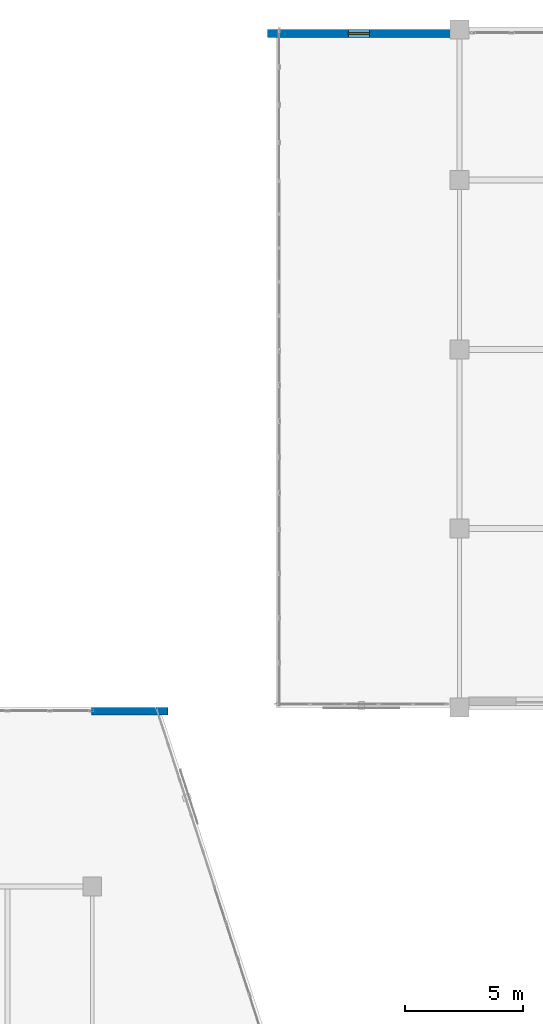
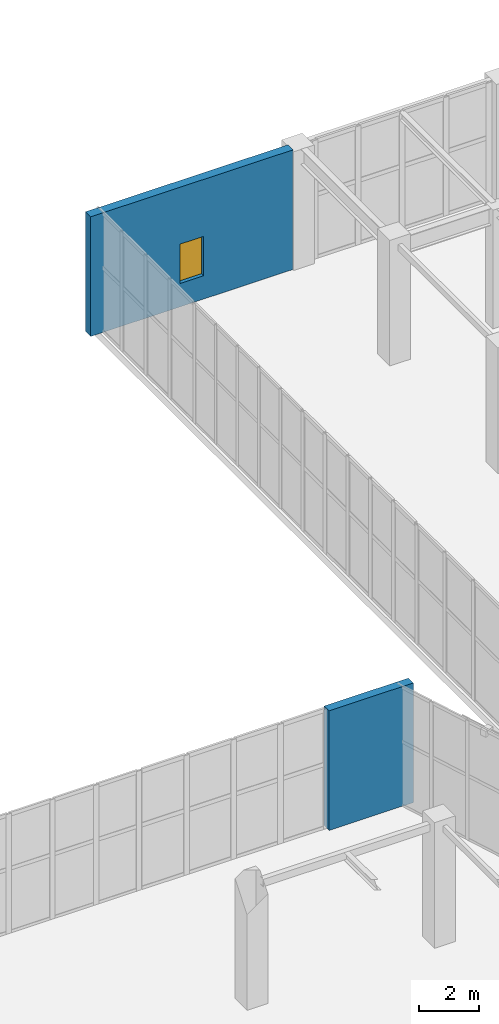
# One storey, part 116 of 128: 2 walls, 1 window, 1 opening.
"""IFC4 building model written with IfcOpenShell, lengths in metres."""

from ifc_helpers import new_model, si_unit, direction, frame, frame_2d, origin, place, context, subcontext, project, spatial, rectangle, extrude, material, layer, layer_set, type_object, element, fill, save


model = new_model("IFC4")

# Units and contexts
model_context = context("Model", 3, precision=1e-05, world=origin(), true_north=direction((0.0, 1.0)))
body_context = subcontext(model_context, "Body", "Model", "MODEL_VIEW")
ifc_project = project(units=[si_unit("LENGTHUNIT", "METRE"), si_unit("AREAUNIT", "SQUARE_METRE"), si_unit("VOLUMEUNIT", "CUBIC_METRE"), si_unit("PLANEANGLEUNIT", "RADIAN"), si_unit("MASSUNIT", "GRAM", prefix="KILO")], contexts=[model_context])

# Site, building, storey
site_placement = place(None, origin())
site = spatial("IfcSite", under=ifc_project, at=site_placement, CompositionType="ELEMENT")
building_placement = place(site_placement, origin())
building = spatial("IfcBuilding", under=site, at=building_placement, Name="Xicomal Pleat Aquarium", CompositionType="ELEMENT")
storey_placement = place(building_placement, frame((0.0, 0.0, 5.39990234375)))
storey = spatial("IfcBuildingStorey", under=building, at=storey_placement, Name="L02", CompositionType="ELEMENT", Elevation=5.39990234375)

# Wall
ifc_material_1 = material(Name="Precast concrete C40/50", Category="concrete")
ifc_layer_1 = layer(ifc_material_1, 0.324951171875)
ifc_layer_set_1 = layer_set([ifc_layer_1], Name="Precast concrete C40/50")
wall_type_1 = type_object("IfcWallType", Name="WAL-EXT-PRC-325", PredefinedType="SOLIDWALL", material=ifc_layer_set_1)
wall_1_placement = place(storey_placement, frame((118.179931640625, 75.837890625, 0.0), z_axis=(0.0, 0.0, 1.0), x_axis=(1.0, 0.0, 0.0)))
element("IfcWall", 1, at=wall_1_placement, inside=storey, type_object=wall_type_1, Name="L02 exterior basalt-precast wall EW-L02-057", PredefinedType="SOLIDWALL", context=body_context, shape_type="SweptSolid", body=[
    extrude(rectangle(XDim=3.239990234375, YDim=0.324951171875, at=frame_2d((1.6201171875, 0.0))), origin(), (0.0, 0.0, 1.0), 4.860107421875),
])

# Wall, opening, window
ifc_material_2 = material(Name="Precast concrete C40/50", Category="concrete")
ifc_layer_2 = layer(ifc_material_2, 0.340087890625)
ifc_layer_set_2 = layer_set([ifc_layer_2], Name="Precast concrete C40/50")
wall_type_2 = type_object("IfcWallType", Name="WAL-EXT-PRC-340", PredefinedType="SOLIDWALL", material=ifc_layer_set_2)
wall_2_placement = place(storey_placement, frame((125.639892578125, 104.6298828125, 0.0), z_axis=(0.0, 0.0, 1.0), x_axis=(1.0, 0.0, 0.0)))
wall_2 = element("IfcWall", 2, at=wall_2_placement, inside=storey, type_object=wall_type_2, Name="L02 exterior basalt-precast wall EW-L02-030", PredefinedType="SOLIDWALL", context=body_context, shape_type="SweptSolid", body=[
    extrude(rectangle(XDim=7.775146484375, YDim=0.340087890625, at=frame_2d((3.8876953125, 0.0))), origin(), (0.0, 0.0, 1.0), 4.860107421875),
])
opening_placement = place(wall_2_placement, frame((3.43701171875, 0.0, 0.949951171875)))
opening = element("IfcOpeningElement", 3, at=opening_placement, cuts=wall_2, Name="Opening WN-06", PredefinedType="OPENING", context=body_context, shape_type="SweptSolid", body=[
    extrude(rectangle(XDim=0.89990234375, YDim=1.60009765625, at=frame_2d((0.449951171875, 0.800048828125))), frame((0.0, 0.179931640625, 0.0), z_axis=(0.0, -1.0, 0.0), x_axis=(1.0, 0.0, 0.0)), (0.0, 0.0, 1.0), 0.360107421875),
])
ifc_material_3 = material(Name="Insulated low-E laminated glass", Category="glass")
window_type = type_object("IfcWindowType", Name="WIN-EXT-0900x1600", PartitioningType="SINGLE_PANEL", PredefinedType="WINDOW", material=ifc_material_3)
window_placement = place(opening_placement, origin())
window = element("IfcWindow", 4, at=window_placement, inside=storey, type_object=window_type, Name="L02 thermally broken low-E window 8", OverallHeight=1.60009765625, OverallWidth=0.89990234375, PartitioningType="SINGLE_PANEL", PredefinedType="WINDOW", context=body_context, shape_type="SweptSolid", body=[
    extrude(rectangle(XDim=0.89990234375, YDim=1.60009765625, at=frame_2d((0.449951171875, 0.800048828125))), frame((0.0, 0.030029296875, 0.0), z_axis=(0.0, -1.0, 0.0), x_axis=(1.0, 0.0, 0.0)), (0.0, 0.0, 1.0), 0.06005859375),
])
fill(opening, window)

save(model, "model.ifc")
